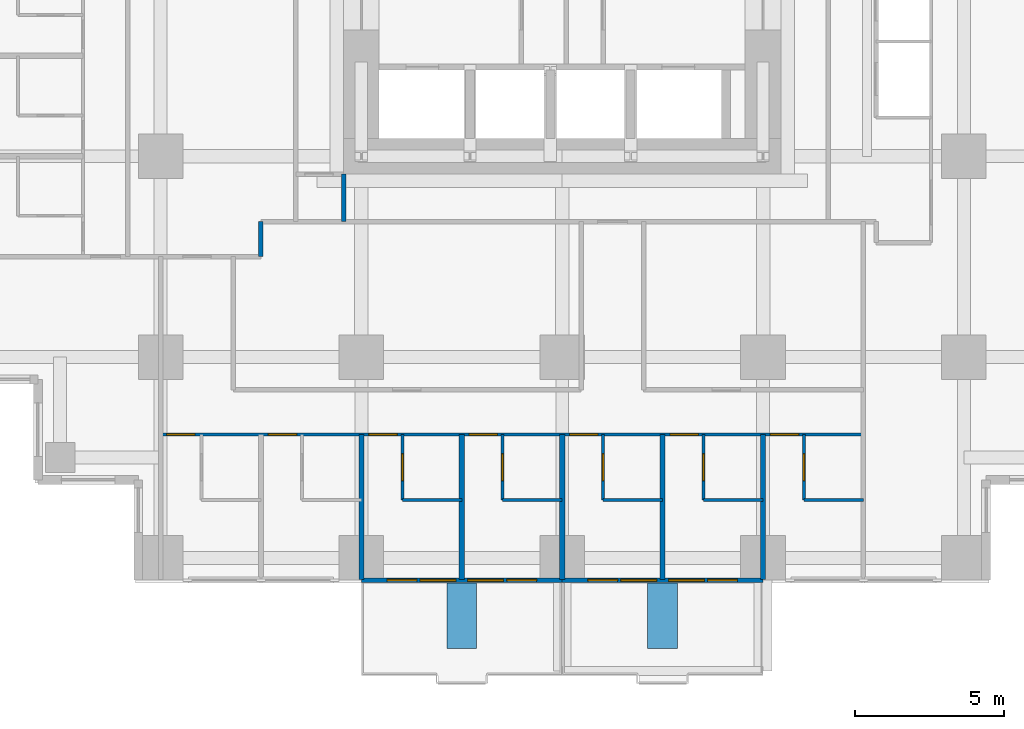
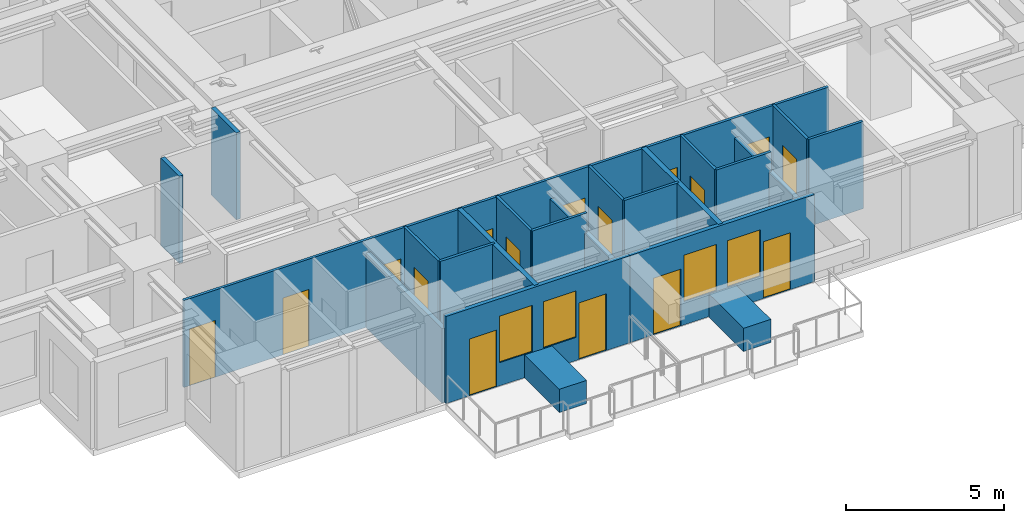
# One storey, part 5 of 11: 22 walls, 16 doors, 4 windows, 20 openings.
"""IFC4 building model written with IfcOpenShell, lengths in metres."""

from ifc_helpers import new_model, si_unit, direction, frame, frame_2d, origin, place, context, subcontext, project, spatial, rectangle, extrude, material, layer, layer_set, type_object, element, fill, save


model = new_model("IFC4")

# Units and contexts
model_context = context("Model", 3, precision=1e-05, world=origin(), true_north=direction((0.0, 1.0)))
body_context = subcontext(model_context, "Body", "Model", "MODEL_VIEW")
ifc_project = project(units=[si_unit("LENGTHUNIT", "METRE"), si_unit("AREAUNIT", "SQUARE_METRE"), si_unit("VOLUMEUNIT", "CUBIC_METRE"), si_unit("PLANEANGLEUNIT", "RADIAN"), si_unit("MASSUNIT", "GRAM", prefix="KILO")], contexts=[model_context])

# Site, building, storey
site_placement = place(None, origin())
site = spatial("IfcSite", under=ifc_project, at=site_placement, CompositionType="ELEMENT")
building_placement = place(site_placement, origin())
building = spatial("IfcBuilding", under=site, at=building_placement, Name="Nyansa Garden Tower", CompositionType="ELEMENT")
storey_placement = place(building_placement, frame((0.0, 0.0, 108.89990234375)))
storey = spatial("IfcBuildingStorey", under=building, at=storey_placement, Name="L29", CompositionType="ELEMENT", Elevation=108.89990234375)

# Walls
ifc_material_1 = material(Name="Dense blockwork, plastered both sides, 55 dB", Category="masonry")
ifc_layer_1 = layer(ifc_material_1, 0.175048828125)
ifc_layer_set_1 = layer_set([ifc_layer_1], Name="Acoustic party wall PW175")
wall_type_1 = type_object("IfcWallType", Name="Acoustic party wall PW175", PredefinedType="PARTITIONING", material=ifc_layer_set_1)
wall_1_placement = place(storey_placement, frame((13.5, -0.73388671875, 0.0), z_axis=(0.0, 0.0, 1.0), x_axis=(0.0, 1.0, 0.0)))
element("IfcWall", 1, at=wall_1_placement, inside=storey, type_object=wall_type_1, Name="Party wall", PredefinedType="PARTITIONING", context=body_context, shape_type="SweptSolid", body=[
    extrude(rectangle(XDim=4.8837890625, YDim=0.175048828125, at=frame_2d((2.44189453125, 0.0))), origin(), (0.0, 0.0, 1.0), 2.877197265625),
])
wall_2_placement = place(storey_placement, frame((16.875, -0.73388671875, 0.0), z_axis=(0.0, 0.0, 1.0), x_axis=(0.0, 1.0, 0.0)))
element("IfcWall", 2, at=wall_2_placement, inside=storey, type_object=wall_type_1, Name="Party wall", PredefinedType="PARTITIONING", context=body_context, shape_type="SweptSolid", body=[
    extrude(rectangle(XDim=4.8837890625, YDim=0.175048828125, at=frame_2d((2.44189453125, 0.0))), origin(), (0.0, 0.0, 1.0), 3.375),
])
wall_3_placement = place(storey_placement, frame((20.25, -0.73388671875, 0.0), z_axis=(0.0, 0.0, 1.0), x_axis=(0.0, 1.0, 0.0)))
element("IfcWall", 3, at=wall_3_placement, inside=storey, type_object=wall_type_1, Name="Party wall", PredefinedType="PARTITIONING", context=body_context, shape_type="SweptSolid", body=[
    extrude(rectangle(XDim=4.8837890625, YDim=0.175048828125, at=frame_2d((2.44189453125, 0.0))), origin(), (0.0, 0.0, 1.0), 2.610107421875),
])
wall_4_placement = place(storey_placement, frame((23.625, -0.73388671875, 0.0), z_axis=(0.0, 0.0, 1.0), x_axis=(0.0, 1.0, 0.0)))
element("IfcWall", 4, at=wall_4_placement, inside=storey, type_object=wall_type_1, Name="Party wall", PredefinedType="PARTITIONING", context=body_context, shape_type="SweptSolid", body=[
    extrude(rectangle(XDim=4.8837890625, YDim=0.175048828125, at=frame_2d((2.44189453125, 0.0))), origin(), (0.0, 0.0, 1.0), 3.375),
])
wall_5_placement = place(storey_placement, frame((27.0, -0.73388671875, 0.0), z_axis=(0.0, 0.0, 1.0), x_axis=(0.0, 1.0, 0.0)))
element("IfcWall", 5, at=wall_5_placement, inside=storey, type_object=wall_type_1, Name="Party wall", PredefinedType="PARTITIONING", context=body_context, shape_type="SweptSolid", body=[
    extrude(rectangle(XDim=4.8837890625, YDim=0.175048828125, at=frame_2d((2.44189453125, 0.0))), origin(), (0.0, 0.0, 1.0), 2.610107421875),
])

# Wall, openings, doors, windows
ifc_material_2 = material(Name="Black aluminium framed glazed screen", Category="aluminium")
ifc_layer_2 = layer(ifc_material_2, 0.14990234375)
ifc_layer_set_2 = layer_set([ifc_layer_2], Name="Balcony screen wall BW150")
wall_type_2 = type_object("IfcWallType", Name="Balcony screen wall BW150", PredefinedType="SOLIDWALL", material=ifc_layer_set_2)
wall_6_placement = place(storey_placement, frame((20.25, -0.75, 0.0), z_axis=(0.0, 0.0, 1.0), x_axis=(-1.0, 0.0, 0.0)))
wall_6 = element("IfcWall", 6, at=wall_6_placement, inside=storey, type_object=wall_type_2, Name="Glazed screen wall L29 S", PredefinedType="SOLIDWALL", context=body_context, shape_type="SweptSolid", body=[
    extrude(rectangle(XDim=6.75, YDim=0.14990234375, at=frame_2d((3.375, 0.0))), origin(), (0.0, 0.0, 1.0), 3.375),
])
opening_1_placement = place(wall_6_placement, frame((0.862548828125, 0.0, 0.0)))
opening_1 = element("IfcOpeningElement", 7, at=opening_1_placement, cuts=wall_6, Name="Opening D20", PredefinedType="OPENING", context=body_context, shape_type="SweptSolid", body=[
    extrude(rectangle(XDim=1.0, YDim=2.199951171875, at=frame_2d((0.5, 1.10009765625))), frame((0.0, 0.0849609375, 0.0), z_axis=(0.0, -1.0, 0.0), x_axis=(1.0, 0.0, 0.0)), (0.0, 0.0, 1.0), 0.169921875),
])
opening_2_placement = place(wall_6_placement, frame((1.97509765625, 0.0, 0.89990234375)))
opening_2 = element("IfcOpeningElement", 8, at=opening_2_placement, cuts=wall_6, Name="Opening W6", PredefinedType="OPENING", context=body_context, shape_type="SweptSolid", body=[
    extrude(rectangle(XDim=1.199951171875, YDim=1.800048828125, at=frame_2d((0.60009765625, 0.89990234375))), frame((0.0, 0.0849609375, 0.0), z_axis=(0.0, -1.0, 0.0), x_axis=(1.0, 0.0, 0.0)), (0.0, 0.0, 1.0), 0.169921875),
])
opening_3_placement = place(wall_6_placement, frame((4.887451171875, 0.0, 0.0)))
opening_3 = element("IfcOpeningElement", 9, at=opening_3_placement, cuts=wall_6, Name="Opening D20", PredefinedType="OPENING", context=body_context, shape_type="SweptSolid", body=[
    extrude(rectangle(XDim=1.0, YDim=2.199951171875, at=frame_2d((0.5, 1.10009765625))), frame((0.0, 0.0849609375, 0.0), z_axis=(0.0, -1.0, 0.0), x_axis=(1.0, 0.0, 0.0)), (0.0, 0.0, 1.0), 0.169921875),
])
opening_4_placement = place(wall_6_placement, frame((3.574951171875, 0.0, 0.89990234375)))
opening_4 = element("IfcOpeningElement", 10, at=opening_4_placement, cuts=wall_6, Name="Opening W6", PredefinedType="OPENING", context=body_context, shape_type="SweptSolid", body=[
    extrude(rectangle(XDim=1.199951171875, YDim=1.800048828125, at=frame_2d((0.60009765625, 0.89990234375))), frame((0.0, 0.0849609375, 0.0), z_axis=(0.0, -1.0, 0.0), x_axis=(1.0, 0.0, 0.0)), (0.0, 0.0, 1.0), 0.169921875),
])
ifc_material_3 = material(Name="Black aluminium framed glazed door", Category="aluminium")
door_type_1 = type_object("IfcDoorType", Name="Balcony door D20 1000x2200", OperationType="NOTDEFINED", PredefinedType="DOOR", material=ifc_material_3)
door_1_placement = place(opening_1_placement, origin())
door_1 = element("IfcDoor", 11, at=door_1_placement, inside=storey, type_object=door_type_1, Name="Balcony door L29", OperationType="SINGLE_SWING_LEFT", OverallHeight=2.199951171875, OverallWidth=1.0, PredefinedType="DOOR", context=body_context, shape_type="SweptSolid", body=[
    extrude(rectangle(XDim=1.0, YDim=2.199951171875, at=frame_2d((0.5, 1.10009765625))), frame((0.0, 0.02490234375, 0.0), z_axis=(0.0, -1.0, 0.0), x_axis=(1.0, 0.0, 0.0)), (0.0, 0.0, 1.0), 0.050048828125),
])
fill(opening_1, door_1)
door_2_placement = place(opening_3_placement, origin())
door_2 = element("IfcDoor", 12, at=door_2_placement, inside=storey, type_object=door_type_1, Name="Balcony door L29", OperationType="SINGLE_SWING_RIGHT", OverallHeight=2.199951171875, OverallWidth=1.0, PredefinedType="DOOR", context=body_context, shape_type="SweptSolid", body=[
    extrude(rectangle(XDim=1.0, YDim=2.199951171875, at=frame_2d((0.5, 1.10009765625))), frame((0.0, 0.02490234375, 0.0), z_axis=(0.0, -1.0, 0.0), x_axis=(1.0, 0.0, 0.0)), (0.0, 0.0, 1.0), 0.050048828125),
])
fill(opening_3, door_2)
ifc_material_4 = material(Name="Black aluminium frame, dark tinted double glazing", Category="aluminium")
window_type = type_object("IfcWindowType", Name="Balcony window W6 1200x1800", PartitioningType="SINGLE_PANEL", PredefinedType="WINDOW", material=ifc_material_4)
window_1_placement = place(opening_2_placement, origin())
window_1 = element("IfcWindow", 13, at=window_1_placement, inside=storey, type_object=window_type, Name="Window L29", OverallHeight=1.800048828125, OverallWidth=1.199951171875, PartitioningType="SINGLE_PANEL", PredefinedType="WINDOW", context=body_context, shape_type="SweptSolid", body=[
    extrude(rectangle(XDim=1.199951171875, YDim=1.800048828125, at=frame_2d((0.60009765625, 0.89990234375))), frame((0.0, 0.030029296875, 0.0), z_axis=(0.0, -1.0, 0.0), x_axis=(1.0, 0.0, 0.0)), (0.0, 0.0, 1.0), 0.06005859375),
])
fill(opening_2, window_1)
window_2_placement = place(opening_4_placement, origin())
window_2 = element("IfcWindow", 14, at=window_2_placement, inside=storey, type_object=window_type, Name="Window L29", OverallHeight=1.800048828125, OverallWidth=1.199951171875, PartitioningType="SINGLE_PANEL", PredefinedType="WINDOW", context=body_context, shape_type="SweptSolid", body=[
    extrude(rectangle(XDim=1.199951171875, YDim=1.800048828125, at=frame_2d((0.60009765625, 0.89990234375))), frame((0.0, 0.030029296875, 0.0), z_axis=(0.0, -1.0, 0.0), x_axis=(1.0, 0.0, 0.0)), (0.0, 0.0, 1.0), 0.06005859375),
])
fill(opening_4, window_2)

wall_7_placement = place(storey_placement, frame((27.0, -0.75, 0.0), z_axis=(0.0, 0.0, 1.0), x_axis=(-1.0, 0.0, 0.0)))
wall_7 = element("IfcWall", 15, at=wall_7_placement, inside=storey, type_object=wall_type_2, Name="Glazed screen wall L29 S", PredefinedType="SOLIDWALL", context=body_context, shape_type="SweptSolid", body=[
    extrude(rectangle(XDim=6.75, YDim=0.14990234375, at=frame_2d((3.375, 0.0))), origin(), (0.0, 0.0, 1.0), 3.375),
])
opening_5_placement = place(wall_7_placement, frame((0.862548828125, 0.0, 0.0)))
opening_5 = element("IfcOpeningElement", 16, at=opening_5_placement, cuts=wall_7, Name="Opening D20", PredefinedType="OPENING", context=body_context, shape_type="SweptSolid", body=[
    extrude(rectangle(XDim=1.0, YDim=2.199951171875, at=frame_2d((0.5, 1.10009765625))), frame((0.0, 0.0849609375, 0.0), z_axis=(0.0, -1.0, 0.0), x_axis=(1.0, 0.0, 0.0)), (0.0, 0.0, 1.0), 0.169921875),
])
opening_6_placement = place(wall_7_placement, frame((1.97509765625, 0.0, 0.89990234375)))
opening_6 = element("IfcOpeningElement", 17, at=opening_6_placement, cuts=wall_7, Name="Opening W6", PredefinedType="OPENING", context=body_context, shape_type="SweptSolid", body=[
    extrude(rectangle(XDim=1.199951171875, YDim=1.800048828125, at=frame_2d((0.60009765625, 0.89990234375))), frame((0.0, 0.0849609375, 0.0), z_axis=(0.0, -1.0, 0.0), x_axis=(1.0, 0.0, 0.0)), (0.0, 0.0, 1.0), 0.169921875),
])
opening_7_placement = place(wall_7_placement, frame((4.887451171875, 0.0, 0.0)))
opening_7 = element("IfcOpeningElement", 18, at=opening_7_placement, cuts=wall_7, Name="Opening D20", PredefinedType="OPENING", context=body_context, shape_type="SweptSolid", body=[
    extrude(rectangle(XDim=1.0, YDim=2.199951171875, at=frame_2d((0.5, 1.10009765625))), frame((0.0, 0.0849609375, 0.0), z_axis=(0.0, -1.0, 0.0), x_axis=(1.0, 0.0, 0.0)), (0.0, 0.0, 1.0), 0.169921875),
])
opening_8_placement = place(wall_7_placement, frame((3.574951171875, 0.0, 0.89990234375)))
opening_8 = element("IfcOpeningElement", 19, at=opening_8_placement, cuts=wall_7, Name="Opening W6", PredefinedType="OPENING", context=body_context, shape_type="SweptSolid", body=[
    extrude(rectangle(XDim=1.199951171875, YDim=1.800048828125, at=frame_2d((0.60009765625, 0.89990234375))), frame((0.0, 0.0849609375, 0.0), z_axis=(0.0, -1.0, 0.0), x_axis=(1.0, 0.0, 0.0)), (0.0, 0.0, 1.0), 0.169921875),
])
door_3_placement = place(opening_5_placement, origin())
door_3 = element("IfcDoor", 20, at=door_3_placement, inside=storey, type_object=door_type_1, Name="Balcony door L29", OperationType="SINGLE_SWING_LEFT", OverallHeight=2.199951171875, OverallWidth=1.0, PredefinedType="DOOR", context=body_context, shape_type="SweptSolid", body=[
    extrude(rectangle(XDim=1.0, YDim=2.199951171875, at=frame_2d((0.5, 1.10009765625))), frame((0.0, 0.02490234375, 0.0), z_axis=(0.0, -1.0, 0.0), x_axis=(1.0, 0.0, 0.0)), (0.0, 0.0, 1.0), 0.050048828125),
])
fill(opening_5, door_3)
door_4_placement = place(opening_7_placement, origin())
door_4 = element("IfcDoor", 21, at=door_4_placement, inside=storey, type_object=door_type_1, Name="Balcony door L29", OperationType="SINGLE_SWING_RIGHT", OverallHeight=2.199951171875, OverallWidth=1.0, PredefinedType="DOOR", context=body_context, shape_type="SweptSolid", body=[
    extrude(rectangle(XDim=1.0, YDim=2.199951171875, at=frame_2d((0.5, 1.10009765625))), frame((0.0, 0.02490234375, 0.0), z_axis=(0.0, -1.0, 0.0), x_axis=(1.0, 0.0, 0.0)), (0.0, 0.0, 1.0), 0.050048828125),
])
fill(opening_7, door_4)
window_3_placement = place(opening_6_placement, origin())
window_3 = element("IfcWindow", 22, at=window_3_placement, inside=storey, type_object=window_type, Name="Window L29", OverallHeight=1.800048828125, OverallWidth=1.199951171875, PartitioningType="SINGLE_PANEL", PredefinedType="WINDOW", context=body_context, shape_type="SweptSolid", body=[
    extrude(rectangle(XDim=1.199951171875, YDim=1.800048828125, at=frame_2d((0.60009765625, 0.89990234375))), frame((0.0, 0.030029296875, 0.0), z_axis=(0.0, -1.0, 0.0), x_axis=(1.0, 0.0, 0.0)), (0.0, 0.0, 1.0), 0.06005859375),
])
fill(opening_6, window_3)
window_4_placement = place(opening_8_placement, origin())
window_4 = element("IfcWindow", 23, at=window_4_placement, inside=storey, type_object=window_type, Name="Window L29", OverallHeight=1.800048828125, OverallWidth=1.199951171875, PartitioningType="SINGLE_PANEL", PredefinedType="WINDOW", context=body_context, shape_type="SweptSolid", body=[
    extrude(rectangle(XDim=1.199951171875, YDim=1.800048828125, at=frame_2d((0.60009765625, 0.89990234375))), frame((0.0, 0.030029296875, 0.0), z_axis=(0.0, -1.0, 0.0), x_axis=(1.0, 0.0, 0.0)), (0.0, 0.0, 1.0), 0.06005859375),
])
fill(opening_8, window_4)

# Walls
ifc_material_5 = material(Name="Blockwork, plastered both sides", Category="masonry")
ifc_layer_3 = layer(ifc_material_5, 0.14990234375)
ifc_layer_set_3 = layer_set([ifc_layer_3], Name="Partition PW150")
wall_type_3 = type_object("IfcWallType", Name="Partition PW150", PredefinedType="PARTITIONING", material=ifc_layer_set_3)
wall_8_placement = place(storey_placement, frame((10.125, 10.125, 0.0), z_axis=(0.0, 0.0, 1.0), x_axis=(0.0, 1.0, 0.0)))
element("IfcWall", 24, at=wall_8_placement, inside=storey, type_object=wall_type_3, Name="Partition", PredefinedType="PARTITIONING", context=body_context, shape_type="SweptSolid", body=[
    extrude(rectangle(XDim=1.175048828125, YDim=0.14990234375, at=frame_2d((0.58740234375, 0.0))), origin(), (0.0, 0.0, 1.0), 3.375),
])
wall_9_placement = place(storey_placement, frame((12.89990234375, 11.300048828125, 0.0), z_axis=(0.0, 0.0, 1.0), x_axis=(0.0, 1.0, 0.0)))
element("IfcWall", 25, at=wall_9_placement, inside=storey, type_object=wall_type_3, Name="Partition", PredefinedType="PARTITIONING", context=body_context, shape_type="SweptSolid", body=[
    extrude(rectangle(XDim=1.599853515625, YDim=0.14990234375, at=frame_2d((0.7998046875, 0.0))), origin(), (0.0, 0.0, 1.0), 3.375),
])
ifc_material_6 = material(Name="Concrete C40/50 planter, waterproofed", Category="concrete")
ifc_layer_4 = layer(ifc_material_6, 1.0)
ifc_layer_set_4 = layer_set([ifc_layer_4], Name="Tree planter TP1")
wall_type_4 = type_object("IfcWallType", Name="Tree planter TP1", PredefinedType="USERDEFINED", material=ifc_layer_set_4)
for number, where, z_axis, x_axis, name in (
    (26, (16.875, -0.85009765625, 0.0), (0.0, 0.0, 1.0), (0.0, -1.0, 0.0), "Tree planter L29"),
    (27, (23.625, -0.85009765625, 0.0), (0.0, 0.0, 1.0), (0.0, -1.0, 0.0), "Tree planter L29"),
):
    element("IfcWall", number, at=place(storey_placement, frame(where, z_axis=z_axis, x_axis=x_axis)), inside=storey, type_object=wall_type_4, Name=name, ObjectType="TREE PLANTER", PredefinedType="USERDEFINED", context=body_context, shape_type="SweptSolid", body=[
        extrude(rectangle(XDim=2.199951171875, YDim=1.0, at=frame_2d((1.10009765625, 0.0))), origin(), (0.0, 0.0, 1.0), 0.900146484375),
    ])

# Wall, openings, doors
ifc_material_7 = material(Name="Moisture resistant board on steel studs, tiled", Category="steel")
ifc_layer_5 = layer(ifc_material_7, 0.10009765625)
ifc_layer_set_5 = layer_set([ifc_layer_5], Name="Wet wall PW100")
wall_type_5 = type_object("IfcWallType", Name="Wet wall PW100", PredefinedType="PARTITIONING", material=ifc_layer_set_5)
wall_10_placement = place(storey_placement, frame((6.75, 4.14990234375, 0.0), z_axis=(0.0, 0.0, 1.0), x_axis=(1.0, 0.0, 0.0)))
wall_10 = element("IfcWall", 28, at=wall_10_placement, inside=storey, type_object=wall_type_5, Name="Wet wall", PredefinedType="PARTITIONING", context=body_context, shape_type="SweptSolid", body=[
    extrude(rectangle(XDim=23.625, YDim=0.10009765625, at=frame_2d((11.8125, 0.0))), origin(), (0.0, 0.0, 1.0), 3.375),
])
opening_9_placement = place(wall_10_placement, frame((0.199951171875, 0.0, 0.0)))
opening_9 = element("IfcOpeningElement", 29, at=opening_9_placement, cuts=wall_10, Name="Opening D01", PredefinedType="OPENING", context=body_context, shape_type="SweptSolid", body=[
    extrude(rectangle(XDim=0.949951171875, YDim=2.199951171875, at=frame_2d((0.47509765625, 1.10009765625))), frame((0.0, 0.06005859375, 0.0), z_axis=(0.0, -1.0, 0.0), x_axis=(1.0, 0.0, 0.0)), (0.0, 0.0, 1.0), 0.1201171875),
])
opening_10_placement = place(wall_10_placement, frame((3.625, 0.0, 0.0)))
opening_10 = element("IfcOpeningElement", 30, at=opening_10_placement, cuts=wall_10, Name="Opening D01", PredefinedType="OPENING", context=body_context, shape_type="SweptSolid", body=[
    extrude(rectangle(XDim=0.949951171875, YDim=2.199951171875, at=frame_2d((0.47509765625, 1.10009765625))), frame((0.0, 0.06005859375, 0.0), z_axis=(0.0, -1.0, 0.0), x_axis=(1.0, 0.0, 0.0)), (0.0, 0.0, 1.0), 0.1201171875),
])
opening_11_placement = place(wall_10_placement, frame((7.0, 0.0, 0.0)))
opening_11 = element("IfcOpeningElement", 31, at=opening_11_placement, cuts=wall_10, Name="Opening D01", PredefinedType="OPENING", context=body_context, shape_type="SweptSolid", body=[
    extrude(rectangle(XDim=0.949951171875, YDim=2.199951171875, at=frame_2d((0.47509765625, 1.10009765625))), frame((0.0, 0.06005859375, 0.0), z_axis=(0.0, -1.0, 0.0), x_axis=(1.0, 0.0, 0.0)), (0.0, 0.0, 1.0), 0.1201171875),
])
opening_12_placement = place(wall_10_placement, frame((10.375, 0.0, 0.0)))
opening_12 = element("IfcOpeningElement", 32, at=opening_12_placement, cuts=wall_10, Name="Opening D01", PredefinedType="OPENING", context=body_context, shape_type="SweptSolid", body=[
    extrude(rectangle(XDim=0.949951171875, YDim=2.199951171875, at=frame_2d((0.47509765625, 1.10009765625))), frame((0.0, 0.06005859375, 0.0), z_axis=(0.0, -1.0, 0.0), x_axis=(1.0, 0.0, 0.0)), (0.0, 0.0, 1.0), 0.1201171875),
])
opening_13_placement = place(wall_10_placement, frame((13.75, 0.0, 0.0)))
opening_13 = element("IfcOpeningElement", 33, at=opening_13_placement, cuts=wall_10, Name="Opening D01", PredefinedType="OPENING", context=body_context, shape_type="SweptSolid", body=[
    extrude(rectangle(XDim=0.949951171875, YDim=2.199951171875, at=frame_2d((0.47509765625, 1.10009765625))), frame((0.0, 0.06005859375, 0.0), z_axis=(0.0, -1.0, 0.0), x_axis=(1.0, 0.0, 0.0)), (0.0, 0.0, 1.0), 0.1201171875),
])
opening_14_placement = place(wall_10_placement, frame((17.125, 0.0, 0.0)))
opening_14 = element("IfcOpeningElement", 34, at=opening_14_placement, cuts=wall_10, Name="Opening D01", PredefinedType="OPENING", context=body_context, shape_type="SweptSolid", body=[
    extrude(rectangle(XDim=0.949951171875, YDim=2.199951171875, at=frame_2d((0.47509765625, 1.10009765625))), frame((0.0, 0.06005859375, 0.0), z_axis=(0.0, -1.0, 0.0), x_axis=(1.0, 0.0, 0.0)), (0.0, 0.0, 1.0), 0.1201171875),
])
opening_15_placement = place(wall_10_placement, frame((20.5, 0.0, 0.0)))
opening_15 = element("IfcOpeningElement", 35, at=opening_15_placement, cuts=wall_10, Name="Opening D01", PredefinedType="OPENING", context=body_context, shape_type="SweptSolid", body=[
    extrude(rectangle(XDim=0.949951171875, YDim=2.199951171875, at=frame_2d((0.47509765625, 1.10009765625))), frame((0.0, 0.06005859375, 0.0), z_axis=(0.0, -1.0, 0.0), x_axis=(1.0, 0.0, 0.0)), (0.0, 0.0, 1.0), 0.1201171875),
])
ifc_material_8 = material(Name="Timber flush door, 30 minute fire resisting", Category="wood")
door_type_2 = type_object("IfcDoorType", Name="Bedroom door D01 950x2200", OperationType="SINGLE_SWING_LEFT", PredefinedType="DOOR", material=ifc_material_8)
door_5_placement = place(opening_9_placement, origin())
door_5 = element("IfcDoor", 36, at=door_5_placement, inside=storey, type_object=door_type_2, Name="Door L29-018", OperationType="SINGLE_SWING_LEFT", OverallHeight=2.199951171875, OverallWidth=0.949951171875, PredefinedType="DOOR", context=body_context, shape_type="SweptSolid", body=[
    extrude(rectangle(XDim=0.949951171875, YDim=2.199951171875, at=frame_2d((0.47509765625, 1.10009765625))), frame((0.0, 0.02490234375, 0.0), z_axis=(0.0, -1.0, 0.0), x_axis=(1.0, 0.0, 0.0)), (0.0, 0.0, 1.0), 0.050048828125),
])
fill(opening_9, door_5)
door_6_placement = place(opening_10_placement, origin())
door_6 = element("IfcDoor", 37, at=door_6_placement, inside=storey, type_object=door_type_2, Name="Door L29-020", OperationType="SINGLE_SWING_LEFT", OverallHeight=2.199951171875, OverallWidth=0.949951171875, PredefinedType="DOOR", context=body_context, shape_type="SweptSolid", body=[
    extrude(rectangle(XDim=0.949951171875, YDim=2.199951171875, at=frame_2d((0.47509765625, 1.10009765625))), frame((0.0, 0.02490234375, 0.0), z_axis=(0.0, -1.0, 0.0), x_axis=(1.0, 0.0, 0.0)), (0.0, 0.0, 1.0), 0.050048828125),
])
fill(opening_10, door_6)
door_7_placement = place(opening_11_placement, origin())
door_7 = element("IfcDoor", 38, at=door_7_placement, inside=storey, type_object=door_type_2, Name="Door L29-022", OperationType="SINGLE_SWING_LEFT", OverallHeight=2.199951171875, OverallWidth=0.949951171875, PredefinedType="DOOR", context=body_context, shape_type="SweptSolid", body=[
    extrude(rectangle(XDim=0.949951171875, YDim=2.199951171875, at=frame_2d((0.47509765625, 1.10009765625))), frame((0.0, 0.02490234375, 0.0), z_axis=(0.0, -1.0, 0.0), x_axis=(1.0, 0.0, 0.0)), (0.0, 0.0, 1.0), 0.050048828125),
])
fill(opening_11, door_7)
door_8_placement = place(opening_12_placement, origin())
door_8 = element("IfcDoor", 39, at=door_8_placement, inside=storey, type_object=door_type_2, Name="Door L29-024", OperationType="SINGLE_SWING_LEFT", OverallHeight=2.199951171875, OverallWidth=0.949951171875, PredefinedType="DOOR", context=body_context, shape_type="SweptSolid", body=[
    extrude(rectangle(XDim=0.949951171875, YDim=2.199951171875, at=frame_2d((0.47509765625, 1.10009765625))), frame((0.0, 0.02490234375, 0.0), z_axis=(0.0, -1.0, 0.0), x_axis=(1.0, 0.0, 0.0)), (0.0, 0.0, 1.0), 0.050048828125),
])
fill(opening_12, door_8)
door_9_placement = place(opening_13_placement, origin())
door_9 = element("IfcDoor", 40, at=door_9_placement, inside=storey, type_object=door_type_2, Name="Door L29-026", OperationType="SINGLE_SWING_LEFT", OverallHeight=2.199951171875, OverallWidth=0.949951171875, PredefinedType="DOOR", context=body_context, shape_type="SweptSolid", body=[
    extrude(rectangle(XDim=0.949951171875, YDim=2.199951171875, at=frame_2d((0.47509765625, 1.10009765625))), frame((0.0, 0.02490234375, 0.0), z_axis=(0.0, -1.0, 0.0), x_axis=(1.0, 0.0, 0.0)), (0.0, 0.0, 1.0), 0.050048828125),
])
fill(opening_13, door_9)
door_10_placement = place(opening_14_placement, origin())
door_10 = element("IfcDoor", 41, at=door_10_placement, inside=storey, type_object=door_type_2, Name="Door L29-028", OperationType="SINGLE_SWING_LEFT", OverallHeight=2.199951171875, OverallWidth=0.949951171875, PredefinedType="DOOR", context=body_context, shape_type="SweptSolid", body=[
    extrude(rectangle(XDim=0.949951171875, YDim=2.199951171875, at=frame_2d((0.47509765625, 1.10009765625))), frame((0.0, 0.02490234375, 0.0), z_axis=(0.0, -1.0, 0.0), x_axis=(1.0, 0.0, 0.0)), (0.0, 0.0, 1.0), 0.050048828125),
])
fill(opening_14, door_10)
door_11_placement = place(opening_15_placement, origin())
door_11 = element("IfcDoor", 42, at=door_11_placement, inside=storey, type_object=door_type_2, Name="Door L29-030", OperationType="SINGLE_SWING_LEFT", OverallHeight=2.199951171875, OverallWidth=0.949951171875, PredefinedType="DOOR", context=body_context, shape_type="SweptSolid", body=[
    extrude(rectangle(XDim=0.949951171875, YDim=2.199951171875, at=frame_2d((0.47509765625, 1.10009765625))), frame((0.0, 0.02490234375, 0.0), z_axis=(0.0, -1.0, 0.0), x_axis=(1.0, 0.0, 0.0)), (0.0, 0.0, 1.0), 0.050048828125),
])
fill(opening_15, door_11)

# Wall, opening, door
wall_11_placement = place(storey_placement, frame((14.875, 1.949951171875, 0.0), z_axis=(0.0, 0.0, 1.0), x_axis=(0.0, 1.0, 0.0)))
wall_11 = element("IfcWall", 43, at=wall_11_placement, inside=storey, type_object=wall_type_5, Name="Wet wall", PredefinedType="PARTITIONING", context=body_context, shape_type="SweptSolid", body=[
    extrude(rectangle(XDim=2.199951171875, YDim=0.10009765625, at=frame_2d((1.10009765625, 0.0))), origin(), (0.0, 0.0, 1.0), 3.375),
])
opening_16_placement = place(wall_11_placement, frame((0.64990234375, 0.0, 0.0)))
opening_16 = element("IfcOpeningElement", 44, at=opening_16_placement, cuts=wall_11, Name="Opening D02", PredefinedType="OPENING", context=body_context, shape_type="SweptSolid", body=[
    extrude(rectangle(XDim=0.89990234375, YDim=2.199951171875, at=frame_2d((0.449951171875, 1.10009765625))), frame((0.0, 0.06005859375, 0.0), z_axis=(0.0, -1.0, 0.0), x_axis=(1.0, 0.0, 0.0)), (0.0, 0.0, 1.0), 0.1201171875),
])
ifc_material_9 = material(Name="Timber flush door", Category="wood")
door_type_3 = type_object("IfcDoorType", Name="En-suite door D02 900x2200", OperationType="SINGLE_SWING_RIGHT", PredefinedType="DOOR", material=ifc_material_9)
door_12_placement = place(opening_16_placement, origin())
door_12 = element("IfcDoor", 45, at=door_12_placement, inside=storey, type_object=door_type_3, Name="Door L29-023", OperationType="SINGLE_SWING_RIGHT", OverallHeight=2.199951171875, OverallWidth=0.89990234375, PredefinedType="DOOR", context=body_context, shape_type="SweptSolid", body=[
    extrude(rectangle(XDim=0.89990234375, YDim=2.199951171875, at=frame_2d((0.449951171875, 1.10009765625))), frame((0.0, 0.02490234375, 0.0), z_axis=(0.0, -1.0, 0.0), x_axis=(1.0, 0.0, 0.0)), (0.0, 0.0, 1.0), 0.050048828125),
])
fill(opening_16, door_12)

# Wall
wall_12_placement = place(storey_placement, frame((14.875, 1.949951171875, 0.0), z_axis=(0.0, 0.0, 1.0), x_axis=(1.0, 0.0, 0.0)))
element("IfcWall", 46, at=wall_12_placement, inside=storey, type_object=wall_type_5, Name="Wet wall", PredefinedType="PARTITIONING", context=body_context, shape_type="SweptSolid", body=[
    extrude(rectangle(XDim=2.0, YDim=0.10009765625, at=frame_2d((1.0, 0.0))), origin(), (0.0, 0.0, 1.0), 3.375),
])

# Wall, opening, door
wall_13_placement = place(storey_placement, frame((18.25, 1.949951171875, 0.0), z_axis=(0.0, 0.0, 1.0), x_axis=(0.0, 1.0, 0.0)))
wall_13 = element("IfcWall", 47, at=wall_13_placement, inside=storey, type_object=wall_type_5, Name="Wet wall", PredefinedType="PARTITIONING", context=body_context, shape_type="SweptSolid", body=[
    extrude(rectangle(XDim=2.199951171875, YDim=0.10009765625, at=frame_2d((1.10009765625, 0.0))), origin(), (0.0, 0.0, 1.0), 3.375),
])
opening_17_placement = place(wall_13_placement, frame((0.64990234375, 0.0, 0.0)))
opening_17 = element("IfcOpeningElement", 48, at=opening_17_placement, cuts=wall_13, Name="Opening D02", PredefinedType="OPENING", context=body_context, shape_type="SweptSolid", body=[
    extrude(rectangle(XDim=0.89990234375, YDim=2.199951171875, at=frame_2d((0.449951171875, 1.10009765625))), frame((0.0, 0.06005859375, 0.0), z_axis=(0.0, -1.0, 0.0), x_axis=(1.0, 0.0, 0.0)), (0.0, 0.0, 1.0), 0.1201171875),
])
door_13_placement = place(opening_17_placement, origin())
door_13 = element("IfcDoor", 49, at=door_13_placement, inside=storey, type_object=door_type_3, Name="Door L29-025", OperationType="SINGLE_SWING_RIGHT", OverallHeight=2.199951171875, OverallWidth=0.89990234375, PredefinedType="DOOR", context=body_context, shape_type="SweptSolid", body=[
    extrude(rectangle(XDim=0.89990234375, YDim=2.199951171875, at=frame_2d((0.449951171875, 1.10009765625))), frame((0.0, 0.02490234375, 0.0), z_axis=(0.0, -1.0, 0.0), x_axis=(1.0, 0.0, 0.0)), (0.0, 0.0, 1.0), 0.050048828125),
])
fill(opening_17, door_13)

# Wall
wall_14_placement = place(storey_placement, frame((18.25, 1.949951171875, 0.0), z_axis=(0.0, 0.0, 1.0), x_axis=(1.0, 0.0, 0.0)))
element("IfcWall", 50, at=wall_14_placement, inside=storey, type_object=wall_type_5, Name="Wet wall", PredefinedType="PARTITIONING", context=body_context, shape_type="SweptSolid", body=[
    extrude(rectangle(XDim=2.0, YDim=0.10009765625, at=frame_2d((1.0, 0.0))), origin(), (0.0, 0.0, 1.0), 3.375),
])

# Wall, opening, door
wall_15_placement = place(storey_placement, frame((21.625, 1.949951171875, 0.0), z_axis=(0.0, 0.0, 1.0), x_axis=(0.0, 1.0, 0.0)))
wall_15 = element("IfcWall", 51, at=wall_15_placement, inside=storey, type_object=wall_type_5, Name="Wet wall", PredefinedType="PARTITIONING", context=body_context, shape_type="SweptSolid", body=[
    extrude(rectangle(XDim=2.199951171875, YDim=0.10009765625, at=frame_2d((1.10009765625, 0.0))), origin(), (0.0, 0.0, 1.0), 3.375),
])
opening_18_placement = place(wall_15_placement, frame((0.64990234375, 0.0, 0.0)))
opening_18 = element("IfcOpeningElement", 52, at=opening_18_placement, cuts=wall_15, Name="Opening D02", PredefinedType="OPENING", context=body_context, shape_type="SweptSolid", body=[
    extrude(rectangle(XDim=0.89990234375, YDim=2.199951171875, at=frame_2d((0.449951171875, 1.10009765625))), frame((0.0, 0.06005859375, 0.0), z_axis=(0.0, -1.0, 0.0), x_axis=(1.0, 0.0, 0.0)), (0.0, 0.0, 1.0), 0.1201171875),
])
door_14_placement = place(opening_18_placement, origin())
door_14 = element("IfcDoor", 53, at=door_14_placement, inside=storey, type_object=door_type_3, Name="Door L29-027", OperationType="SINGLE_SWING_RIGHT", OverallHeight=2.199951171875, OverallWidth=0.89990234375, PredefinedType="DOOR", context=body_context, shape_type="SweptSolid", body=[
    extrude(rectangle(XDim=0.89990234375, YDim=2.199951171875, at=frame_2d((0.449951171875, 1.10009765625))), frame((0.0, 0.02490234375, 0.0), z_axis=(0.0, -1.0, 0.0), x_axis=(1.0, 0.0, 0.0)), (0.0, 0.0, 1.0), 0.050048828125),
])
fill(opening_18, door_14)

# Wall
wall_16_placement = place(storey_placement, frame((21.625, 1.949951171875, 0.0), z_axis=(0.0, 0.0, 1.0), x_axis=(1.0, 0.0, 0.0)))
element("IfcWall", 54, at=wall_16_placement, inside=storey, type_object=wall_type_5, Name="Wet wall", PredefinedType="PARTITIONING", context=body_context, shape_type="SweptSolid", body=[
    extrude(rectangle(XDim=2.0, YDim=0.10009765625, at=frame_2d((1.0, 0.0))), origin(), (0.0, 0.0, 1.0), 3.375),
])

# Wall, opening, door
wall_17_placement = place(storey_placement, frame((25.0, 1.949951171875, 0.0), z_axis=(0.0, 0.0, 1.0), x_axis=(0.0, 1.0, 0.0)))
wall_17 = element("IfcWall", 55, at=wall_17_placement, inside=storey, type_object=wall_type_5, Name="Wet wall", PredefinedType="PARTITIONING", context=body_context, shape_type="SweptSolid", body=[
    extrude(rectangle(XDim=2.199951171875, YDim=0.10009765625, at=frame_2d((1.10009765625, 0.0))), origin(), (0.0, 0.0, 1.0), 3.375),
])
opening_19_placement = place(wall_17_placement, frame((0.64990234375, 0.0, 0.0)))
opening_19 = element("IfcOpeningElement", 56, at=opening_19_placement, cuts=wall_17, Name="Opening D02", PredefinedType="OPENING", context=body_context, shape_type="SweptSolid", body=[
    extrude(rectangle(XDim=0.89990234375, YDim=2.199951171875, at=frame_2d((0.449951171875, 1.10009765625))), frame((0.0, 0.06005859375, 0.0), z_axis=(0.0, -1.0, 0.0), x_axis=(1.0, 0.0, 0.0)), (0.0, 0.0, 1.0), 0.1201171875),
])
door_15_placement = place(opening_19_placement, origin())
door_15 = element("IfcDoor", 57, at=door_15_placement, inside=storey, type_object=door_type_3, Name="Door L29-029", OperationType="SINGLE_SWING_RIGHT", OverallHeight=2.199951171875, OverallWidth=0.89990234375, PredefinedType="DOOR", context=body_context, shape_type="SweptSolid", body=[
    extrude(rectangle(XDim=0.89990234375, YDim=2.199951171875, at=frame_2d((0.449951171875, 1.10009765625))), frame((0.0, 0.02490234375, 0.0), z_axis=(0.0, -1.0, 0.0), x_axis=(1.0, 0.0, 0.0)), (0.0, 0.0, 1.0), 0.050048828125),
])
fill(opening_19, door_15)

# Wall
wall_18_placement = place(storey_placement, frame((25.0, 1.949951171875, 0.0), z_axis=(0.0, 0.0, 1.0), x_axis=(1.0, 0.0, 0.0)))
element("IfcWall", 58, at=wall_18_placement, inside=storey, type_object=wall_type_5, Name="Wet wall", PredefinedType="PARTITIONING", context=body_context, shape_type="SweptSolid", body=[
    extrude(rectangle(XDim=2.0, YDim=0.10009765625, at=frame_2d((1.0, 0.0))), origin(), (0.0, 0.0, 1.0), 3.375),
])

# Wall, opening, door
wall_19_placement = place(storey_placement, frame((28.375, 1.949951171875, 0.0), z_axis=(0.0, 0.0, 1.0), x_axis=(0.0, 1.0, 0.0)))
wall_19 = element("IfcWall", 59, at=wall_19_placement, inside=storey, type_object=wall_type_5, Name="Wet wall", PredefinedType="PARTITIONING", context=body_context, shape_type="SweptSolid", body=[
    extrude(rectangle(XDim=2.199951171875, YDim=0.10009765625, at=frame_2d((1.10009765625, 0.0))), origin(), (0.0, 0.0, 1.0), 3.375),
])
opening_20_placement = place(wall_19_placement, frame((0.64990234375, 0.0, 0.0)))
opening_20 = element("IfcOpeningElement", 60, at=opening_20_placement, cuts=wall_19, Name="Opening D02", PredefinedType="OPENING", context=body_context, shape_type="SweptSolid", body=[
    extrude(rectangle(XDim=0.89990234375, YDim=2.199951171875, at=frame_2d((0.449951171875, 1.10009765625))), frame((0.0, 0.06005859375, 0.0), z_axis=(0.0, -1.0, 0.0), x_axis=(1.0, 0.0, 0.0)), (0.0, 0.0, 1.0), 0.1201171875),
])
door_16_placement = place(opening_20_placement, origin())
door_16 = element("IfcDoor", 61, at=door_16_placement, inside=storey, type_object=door_type_3, Name="Door L29-031", OperationType="SINGLE_SWING_RIGHT", OverallHeight=2.199951171875, OverallWidth=0.89990234375, PredefinedType="DOOR", context=body_context, shape_type="SweptSolid", body=[
    extrude(rectangle(XDim=0.89990234375, YDim=2.199951171875, at=frame_2d((0.449951171875, 1.10009765625))), frame((0.0, 0.02490234375, 0.0), z_axis=(0.0, -1.0, 0.0), x_axis=(1.0, 0.0, 0.0)), (0.0, 0.0, 1.0), 0.050048828125),
])
fill(opening_20, door_16)

# Wall
wall_20_placement = place(storey_placement, frame((28.375, 1.949951171875, 0.0), z_axis=(0.0, 0.0, 1.0), x_axis=(1.0, 0.0, 0.0)))
element("IfcWall", 62, at=wall_20_placement, inside=storey, type_object=wall_type_5, Name="Wet wall", PredefinedType="PARTITIONING", context=body_context, shape_type="SweptSolid", body=[
    extrude(rectangle(XDim=2.0, YDim=0.10009765625, at=frame_2d((1.0, 0.0))), origin(), (0.0, 0.0, 1.0), 3.375),
])

save(model, "model.ifc")
